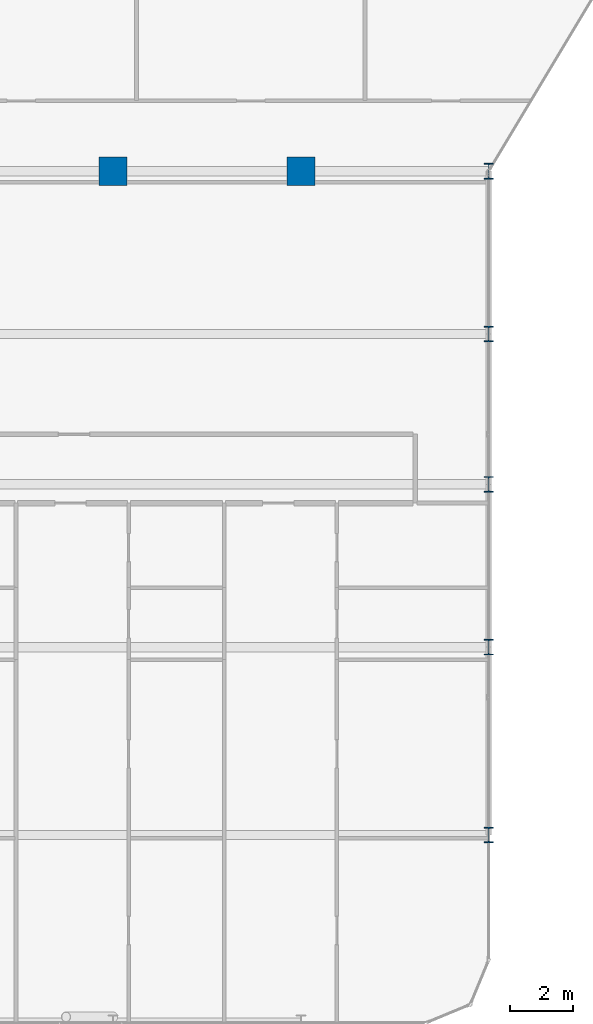
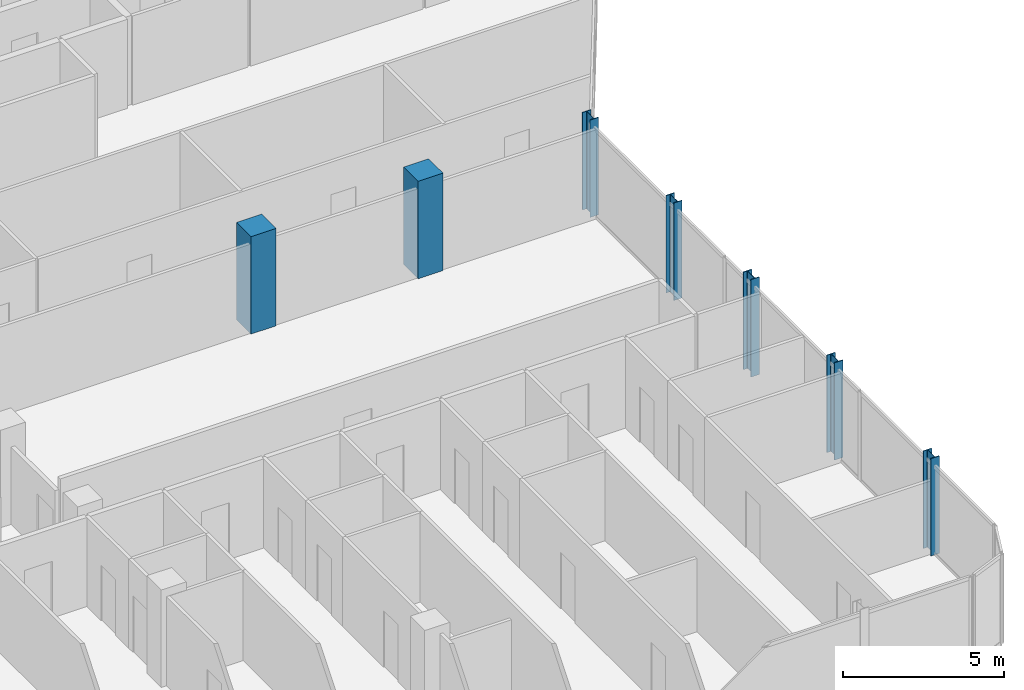
# One storey, part 2 of 32: 7 columns.
"""IFC4 building model written with IfcOpenShell, lengths in metres."""

from ifc_helpers import new_model, si_unit, direction, frame, origin, origin_2d, place, context, subcontext, project, spatial, rectangle, i_section, extrude, material, material_profile, profile_set, type_object, element, save


model = new_model("IFC4")

# Units and contexts
model_context = context("Model", 3, precision=1e-05, world=origin(), true_north=direction((0.0, 1.0)))
body_context = subcontext(model_context, "Body", "Model", "MODEL_VIEW")
ifc_project = project(units=[si_unit("LENGTHUNIT", "METRE"), si_unit("AREAUNIT", "SQUARE_METRE"), si_unit("VOLUMEUNIT", "CUBIC_METRE"), si_unit("PLANEANGLEUNIT", "RADIAN"), si_unit("MASSUNIT", "GRAM", prefix="KILO")], contexts=[model_context])

# Site, building, storey
site_placement = place(None, origin())
site = spatial("IfcSite", under=ifc_project, at=site_placement, CompositionType="ELEMENT")
building_placement = place(site_placement, origin())
building = spatial("IfcBuilding", under=site, at=building_placement, Name="Keshet Zoharim Tower", CompositionType="ELEMENT")
storey_placement = place(building_placement, frame((0.0, 0.0, 152.0)))
storey = spatial("IfcBuildingStorey", under=building, at=storey_placement, Name="L37", CompositionType="ELEMENT", Elevation=152.0)

# Columns
ifc_material_1 = material(Name="Steel S355", Category="steel")
ifc_material_profile_1 = material_profile(ifc_material_1, i_section(OverallWidth=0.300048828125, OverallDepth=0.5, WebThickness=0.014404296875, FlangeThickness=0.028076171875, FilletRadius=0.027099609375, at=origin_2d()), Name="HEB500")
ifc_profile_set_1 = profile_set([ifc_material_profile_1], Name="Steel S355")
column_type_1 = type_object("IfcColumnType", Name="COL-HEB500", PredefinedType="COLUMN", material=ifc_profile_set_1)
for number, where, z_axis, x_axis, name in (
    (1, (57.0, 6.699951171875, 0.0), (0.0, 0.0, 1.0), (1.0, 0.0, 0.0), "L37 Column 10B"),
    (2, (57.0, 12.699951171875, 0.0), (0.0, 0.0, 1.0), (1.0, 0.0, 0.0), "L37 Column 10C"),
    (3, (57.0, 17.89990234375, 0.0), (0.0, 0.0, 1.0), (1.0, 0.0, 0.0), "L37 Column 10D"),
    (4, (57.0, 22.699951171875, 0.0), (0.0, 0.0, 1.0), (1.0, 0.0, 0.0), "L37 Column 10E"),
    (5, (57.0, 27.89990234375, 0.0), (0.0, 0.0, 1.0), (1.0, 0.0, 0.0), "L37 Column 10F"),
):
    element("IfcColumn", number, at=place(storey_placement, frame(where, z_axis=z_axis, x_axis=x_axis)), inside=storey, type_object=column_type_1, Name=name, PredefinedType="COLUMN", context=body_context, shape_type="SweptSolid", body=[
        extrude(i_section(OverallWidth=0.300048828125, OverallDepth=0.5, WebThickness=0.014404296875, FlangeThickness=0.028076171875, FilletRadius=0.027099609375, at=origin_2d()), origin(), (0.0, 0.0, 1.0), 3.699951171875),
    ])
ifc_material_2 = material(Name="Concrete C60/75", Category="concrete")
ifc_material_profile_2 = material_profile(ifc_material_2, rectangle(XDim=0.89990234375, YDim=0.89990234375, at=origin_2d()), Name="RC900x900")
ifc_profile_set_2 = profile_set([ifc_material_profile_2], Name="Concrete C60/75")
column_type_2 = type_object("IfcColumnType", Name="COL-RC900", PredefinedType="COLUMN", material=ifc_profile_set_2)
for number, where, z_axis, x_axis, name in (
    (6, (45.0, 27.89990234375, 0.0), (0.0, 0.0, 1.0), (1.0, 0.0, 0.0), "L37 Column 8F"),
    (7, (51.0, 27.89990234375, 0.0), (0.0, 0.0, 1.0), (1.0, 0.0, 0.0), "L37 Column 9F"),
):
    element("IfcColumn", number, at=place(storey_placement, frame(where, z_axis=z_axis, x_axis=x_axis)), inside=storey, type_object=column_type_2, Name=name, PredefinedType="COLUMN", context=body_context, shape_type="SweptSolid", body=[
        extrude(rectangle(XDim=0.89990234375, YDim=0.89990234375, at=origin_2d()), origin(), (0.0, 0.0, 1.0), 3.699951171875),
    ])

save(model, "model.ifc")
